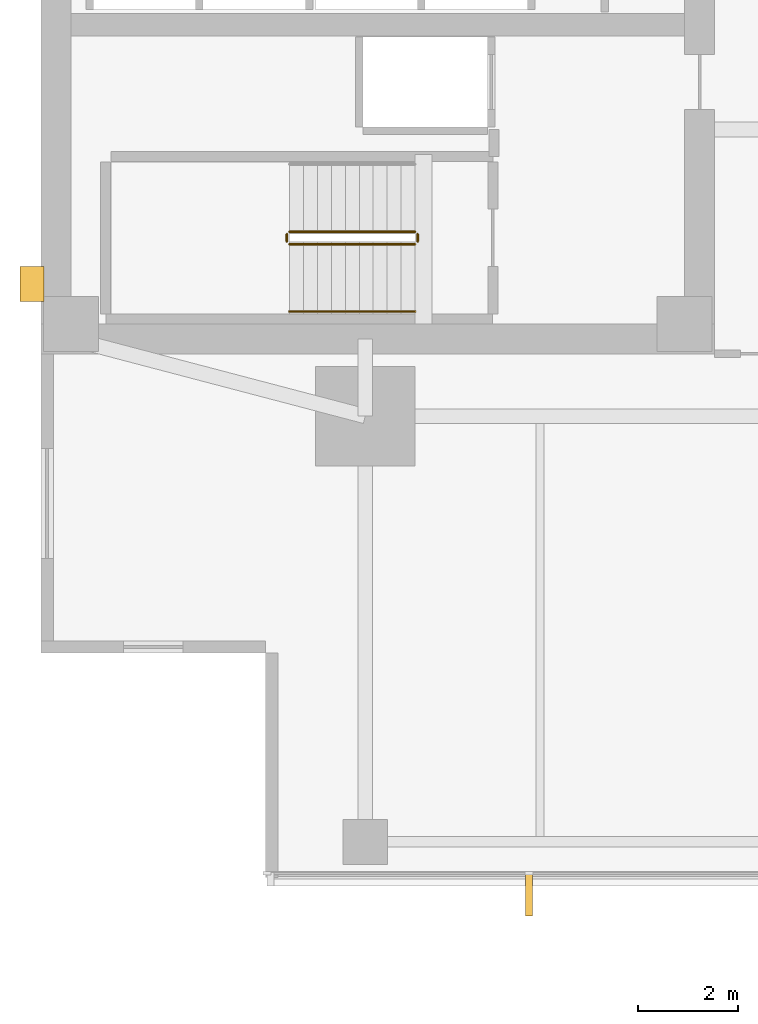
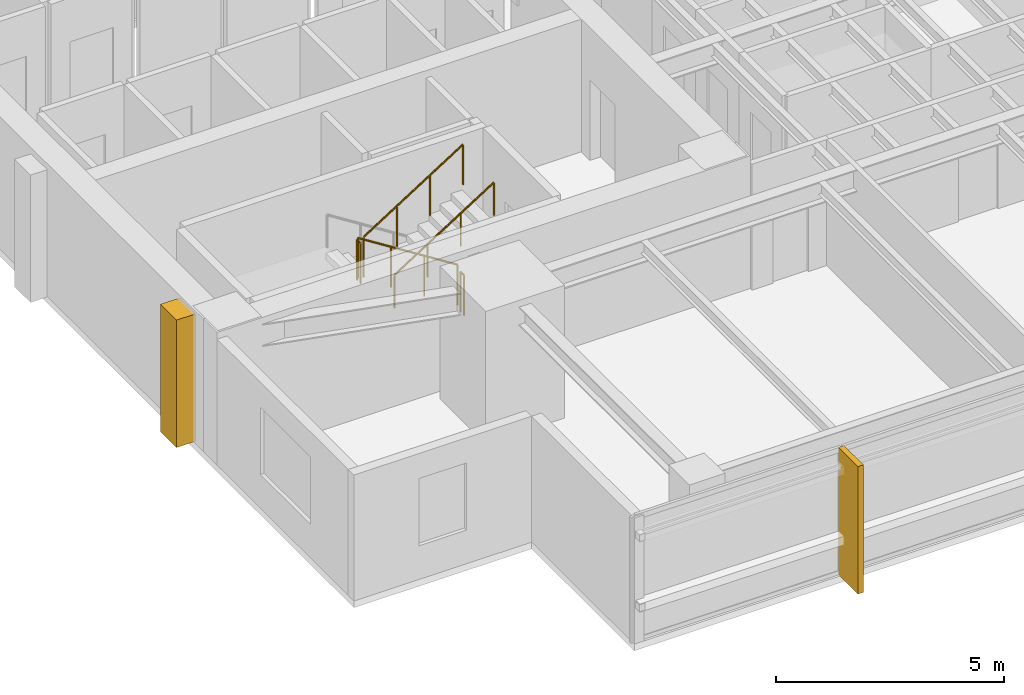
# One storey, part 11 of 14: 5 railings, 2 coverings.
"""IFC4 building model written with IfcOpenShell, lengths in metres."""

import ifcopenshell
import ifcopenshell.guid

model = None  # the IFC model being written
_history = None  # IfcOwnerHistory: only IFC2X3 demands one
_inside = {}  # id of a spatial element -> (the spatial element, [elements in it])
_under = {}  # id of a project, library or spatial element -> (it, [spatial elements below it])
_declared = {}  # id of a project -> (the project, [libraries it declares])
_typed = {}  # id of a type object -> (the type object, [elements of that type])
_made_of = {}  # id of a material, layer set ... -> (it, [elements and type objects made of it])


def new_model(schema):
    """Start an empty IFC model of exactly this schema.

    Asked for "IFC4X3", IfcOpenShell would pick the latest addendum, in which some entities
    have other attributes; the version numbers below select the first issue.
    IFC2X3 requires an IfcOwnerHistory on every rooted entity: one is made here for all.
    """
    global model, _history
    if schema == "IFC4X3":
        model = ifcopenshell.file(schema_version=(4, 3, 0, 0))
    else:
        model = ifcopenshell.file(schema=schema)
    _inside.clear()
    _under.clear()
    _declared.clear()
    _typed.clear()
    _made_of.clear()
    _history = None
    if model.schema == "IFC2X3":
        org = make("IfcOrganization", Name="unknown")
        user = make(
            "IfcPersonAndOrganization",
            ThePerson=make("IfcPerson", FamilyName="unknown"),
            TheOrganization=org,
        )
        app = make(
            "IfcApplication",
            ApplicationDeveloper=org,
            Version="unknown",
            ApplicationFullName="unknown",
            ApplicationIdentifier="unknown",
        )
        _history = make(
            "IfcOwnerHistory",
            OwningUser=user,
            OwningApplication=app,
            ChangeAction="ADDED",
            CreationDate=0,
        )
    return model


def make(cls, **values):
    """One entity of the class cls with the attributes given. An attribute that is None is left unset."""
    return model.create_entity(
        cls, **{name: value for name, value in values.items() if value is not None}
    )


def rooted(cls, **values):
    """An entity with a GlobalId (a new one), such as an element, a storey or a relation."""
    return make(cls, GlobalId=ifcopenshell.guid.new(), OwnerHistory=_history, **values)


def si_unit(unit_type, name, prefix=None):
    """IfcSIUnit, for example si_unit("LENGTHUNIT", "METRE", prefix="MILLI")."""
    return make("IfcSIUnit", UnitType=unit_type, Prefix=prefix, Name=name)


def assignment(units):
    """IfcUnitAssignment: the units of a project."""
    return None if units is None else make("IfcUnitAssignment", Units=units)


def point(xyz):
    """IfcCartesianPoint."""
    return None if xyz is None else make("IfcCartesianPoint", Coordinates=xyz)


def direction(xyz):
    """IfcDirection."""
    return None if xyz is None else make("IfcDirection", DirectionRatios=xyz)


def frame(location, z_axis=None, x_axis=None):
    """IfcAxis2Placement3D, a coordinate frame: its origin and axes. An axis left out is left unset."""
    return make(
        "IfcAxis2Placement3D",
        Location=point(location),
        Axis=direction(z_axis),
        RefDirection=direction(x_axis),
    )


def frame_2d(location, x_axis=None):
    """IfcAxis2Placement2D, a coordinate frame in the plane: its origin and x axis."""
    return make(
        "IfcAxis2Placement2D", Location=point(location), RefDirection=direction(x_axis)
    )


def origin():
    """The frame at (0, 0, 0) with its axes left unset."""
    return frame((0.0, 0.0, 0.0))


def origin_2d():
    """The frame at (0, 0) in the plane with its x axis left unset."""
    return frame_2d((0.0, 0.0))


def place(relative_to, where):
    """IfcLocalPlacement: puts the frame where relative to a parent placement (None: the world)."""
    return make(
        "IfcLocalPlacement", PlacementRelTo=relative_to, RelativePlacement=where
    )


def context(
    kind, dimensions, precision=None, world=None, true_north=None, identifier=None
):
    """IfcGeometricRepresentationContext, for example the 3D "Model" context."""
    return make(
        "IfcGeometricRepresentationContext",
        ContextIdentifier=identifier,
        ContextType=kind,
        CoordinateSpaceDimension=dimensions,
        Precision=precision,
        WorldCoordinateSystem=world,
        TrueNorth=true_north,
    )


def subcontext(parent, identifier, kind, view, scale=None):
    """IfcGeometricRepresentationSubContext, for example "Body" below "Model"."""
    return make(
        "IfcGeometricRepresentationSubContext",
        ContextIdentifier=identifier,
        ContextType=kind,
        ParentContext=parent,
        TargetScale=scale,
        TargetView=view,
    )


def project(units=None, contexts=None):
    """IfcProject with its units and contexts."""
    return rooted(
        "IfcProject",
        Name="project",
        RepresentationContexts=contexts,
        UnitsInContext=assignment(units),
    )


def spatial(cls, under=None, at=None, **own):
    """A site, building, storey or space (cls), placed at a placement, below another one or the project."""
    s = rooted(cls, ObjectPlacement=at, **own)
    if under is not None:
        _under.setdefault(under.id(), (under, []))[1].append(s)
    return s


def polyline(points):
    """IfcPolyline through the points."""
    return make("IfcPolyline", Points=[point(p) for p in points])


def profile(cls, at=None, kind="AREA", **sizes):
    """A parametric profile (cls). Its sizes go by their IFC names, for example OverallWidth=200.0."""
    return make(cls, ProfileType=kind, Position=at, **sizes)


def circle(**sizes):
    """IfcCircleProfileDef."""
    return profile("IfcCircleProfileDef", **sizes)


def outline(outer, holes=None, kind="AREA"):
    """IfcArbitraryClosedProfileDef: a profile drawn as a closed curve; with holes, ...WithVoids."""
    if holes is None:
        return make("IfcArbitraryClosedProfileDef", ProfileType=kind, OuterCurve=outer)
    return make(
        "IfcArbitraryProfileDefWithVoids",
        ProfileType=kind,
        OuterCurve=outer,
        InnerCurves=holes,
    )


def extrude(swept, where, along, depth):
    """IfcExtrudedAreaSolid: the profile swept, set in the frame where, extruded along a direction by depth."""
    return make(
        "IfcExtrudedAreaSolid",
        SweptArea=swept,
        Position=where,
        ExtrudedDirection=direction(along),
        Depth=depth,
    )


def shape(context_of_items, identifier, shape_type, items):
    """IfcShapeRepresentation: the items that make up one representation, for example the "Body"."""
    return make(
        "IfcShapeRepresentation",
        ContextOfItems=context_of_items,
        RepresentationIdentifier=identifier,
        RepresentationType=shape_type,
        Items=items,
    )


def material(Name=None, Category=None):
    """IfcMaterial."""
    return make("IfcMaterial", Name=Name, Category=Category)


def layer(
    of_material, thickness, ventilated=None, Name=None, Category=None, Priority=None
):
    """IfcMaterialLayer: one layer of a wall or slab, of a material (None: an air gap)."""
    return make(
        "IfcMaterialLayer",
        Material=of_material,
        LayerThickness=thickness,
        IsVentilated=ventilated,
        Name=Name,
        Category=Category,
        Priority=Priority,
    )


def layer_set(layers, Name=None):
    """IfcMaterialLayerSet."""
    return make("IfcMaterialLayerSet", MaterialLayers=layers, LayerSetName=Name)


def made_of(thing, what):
    """Note that an element or type object is made of a material, layer set ...; save() writes the relation."""
    if what is not None:
        _made_of.setdefault(what.id(), (what, []))[1].append(thing)
    return thing


def type_object(cls, material=None, **own):
    """A type object (cls), such as IfcWallType, which elements share."""
    return made_of(rooted(cls, **own), material)


def element(
    cls,
    number,
    at=None,
    inside=None,
    cuts=None,
    type_object=None,
    material=None,
    context=None,
    identifier="Body",
    shape_type=None,
    held_by="IfcProductDefinitionShape",
    body=None,
    shapes=None,
    **own,
):
    """One element of the class cls, such as IfcWall. Its Tag is "e" and its number.

    at: its placement. inside: the storey or other place that contains it. cuts: it is an
    opening in that element (IfcRelVoidsElement). A single representation is given by context,
    identifier, shape_type and body (its items); several are given by shapes. held_by: the class
    of the entity that holds the representations. save() writes the other relations.
    """
    e = rooted(cls, Tag="e%d" % number, ObjectPlacement=at, **own)
    if body is not None:
        shapes = [shape(context, identifier, shape_type, body)]
    if shapes is not None:
        e.Representation = make(held_by, Representations=shapes)
    if inside is not None:
        _inside.setdefault(inside.id(), (inside, []))[1].append(e)
    if cuts is not None:
        rooted(
            "IfcRelVoidsElement", RelatingBuildingElement=cuts, RelatedOpeningElement=e
        )
    if type_object is not None:
        _typed.setdefault(type_object.id(), (type_object, []))[1].append(e)
    return made_of(e, material)


def aggregate(whole, parts):
    """IfcRelAggregates: a whole, such as a stair, and the parts it consists of."""
    return rooted("IfcRelAggregates", RelatingObject=whole, RelatedObjects=parts)


def save(model, path):
    """Write the relations noted so far, then the file.

    IfcRelAggregates (storeys below a building ...), IfcRelContainedInSpatialStructure (elements
    in a storey), IfcRelDefinesByType, IfcRelAssociatesMaterial and IfcRelDeclares: one each for
    every whole, place, type object, material and project.
    """
    for whole, parts in _under.values():
        aggregate(whole, parts)
    for where, things in _inside.values():
        rooted(
            "IfcRelContainedInSpatialStructure",
            RelatedElements=things,
            RelatingStructure=where,
        )
    for kind, things in _typed.values():
        rooted("IfcRelDefinesByType", RelatedObjects=things, RelatingType=kind)
    for what, things in _made_of.values():
        rooted("IfcRelAssociatesMaterial", RelatedObjects=things, RelatingMaterial=what)
    for by, libraries in _declared.values():
        rooted("IfcRelDeclares", RelatingContext=by, RelatedDefinitions=libraries)
    model.write(path)


model = new_model("IFC4")

# Units and contexts
model_context = context("Model", 3, precision=1e-05, world=origin(), true_north=direction((0.0, 1.0)))
body_context = subcontext(model_context, "Body", "Model", "MODEL_VIEW")
ifc_project = project(units=[si_unit("LENGTHUNIT", "METRE"), si_unit("AREAUNIT", "SQUARE_METRE"), si_unit("VOLUMEUNIT", "CUBIC_METRE"), si_unit("PLANEANGLEUNIT", "RADIAN"), si_unit("MASSUNIT", "GRAM", prefix="KILO")], contexts=[model_context])

# Site, building, storey
site_placement = place(None, origin())
site = spatial("IfcSite", under=ifc_project, at=site_placement, CompositionType="ELEMENT")
building_placement = place(site_placement, origin())
building = spatial("IfcBuilding", under=site, at=building_placement, Name="Kinhvarn Gate Tower", CompositionType="ELEMENT")
storey_placement = place(building_placement, frame((0.0, 0.0, 155.5)))
storey = spatial("IfcBuildingStorey", under=building, at=storey_placement, Name="L41", CompositionType="ELEMENT", Elevation=155.5)

# Coverings
ifc_material_1 = material(Name="Fired architectural terracotta", Category="masonry")
ifc_layer_1 = layer(ifc_material_1, 0.139892578125)
ifc_layer_set_1 = layer_set([ifc_layer_1], Name="Fired architectural terracotta")
covering_type_1 = type_object("IfcCoveringType", Name="COV-FIN-850", PredefinedType="CLADDING", material=ifc_layer_set_1)
covering_1_placement = place(storey_placement, frame((0.0, 0.0, -0.02001953125)))
element("IfcCovering", 1, at=covering_1_placement, inside=storey, type_object=covering_type_1, Name="Vertical Terracotta Expressive Fin TFN-850 (L41)", PredefinedType="CLADDING", context=body_context, shape_type="SweptSolid", body=[
    extrude(outline(polyline([(14.2158203125, 3.580078125), (14.355712890625, 3.580078125), (14.355712890625, 2.72998046875), (14.2158203125, 2.72998046875), (14.2158203125, 3.580078125)])), origin(), (0.0, 0.0, 1.0), 3.409912109375),
])
ifc_material_2 = material(Name="Precast white architectural concrete C40/50", Category="concrete")
ifc_layer_2 = layer(ifc_material_2, 0.47998046875)
ifc_layer_set_2 = layer_set([ifc_layer_2], Name="Precast white architectural concrete C40/50")
covering_type_2 = type_object("IfcCoveringType", Name="COV-RIB-450", PredefinedType="CLADDING", material=ifc_layer_set_2)
covering_2_placement = place(storey_placement, frame((0.0, 0.0, -0.02001953125)))
element("IfcCovering", 2, at=covering_2_placement, inside=storey, type_object=covering_type_2, Name="West Core Sculptural Concrete Relief Rib CRB-450 (L41)", PredefinedType="CLADDING", context=body_context, shape_type="SweptSolid", body=[
    extrude(outline(polyline([(4.080078125, 15.050048828125), (4.56005859375, 15.050048828125), (4.56005859375, 15.75), (4.080078125, 15.75), (4.080078125, 15.050048828125)])), origin(), (0.0, 0.0, 1.0), 3.409912109375),
])

# Railings
ifc_material_3 = material(Name="Steel S355", Category="steel")
railing_type_1 = type_object("IfcRailingType", Name="RL-ST-GRD", PredefinedType="BALUSTRADE", material=ifc_material_3)
railing_1_placement = place(storey_placement, frame((12.0, 16.449951171875, 0.177490234375)))
element("IfcRailing", 3, at=railing_1_placement, inside=storey, type_object=railing_type_1, Name="L41 ST1 stair guard 1", PredefinedType="BALUSTRADE", context=body_context, shape_type="SweptSolid", body=[
    extrude(circle(Radius=0.02392578125, at=origin_2d()), frame((0.0, 0.0, 1.076171875), z_axis=(-0.84460694969, 0.0, 0.535386869969), x_axis=(0.0, -1.0, 0.0)), (0.0, 0.0, 1.0), 2.983642578125),
    extrude(circle(Radius=0.02099609375, at=origin_2d()), origin(), (0.0, 0.0, 1.0), 1.052001953125),
    extrude(circle(Radius=0.02099609375, at=origin_2d()), frame((-0.840087890625, 0.0, 0.532470703125)), (0.0, 0.0, 1.0), 1.052001953125),
    extrude(circle(Radius=0.02099609375, at=origin_2d()), frame((-1.679931640625, 0.0, 1.06494140625)), (0.0, 0.0, 1.0), 1.052001953125),
    extrude(circle(Radius=0.02099609375, at=origin_2d()), frame((-2.52001953125, 0.0, 1.597412109375)), (0.0, 0.0, 1.0), 1.052001953125),
])
railing_2_placement = place(storey_placement, frame((9.429931640625, 16.39990234375, 1.77490234375)))
element("IfcRailing", 4, at=railing_2_placement, inside=storey, type_object=railing_type_1, Name="L41 ST1 stair guard 2", PredefinedType="BALUSTRADE", context=body_context, shape_type="SweptSolid", body=[
    extrude(circle(Radius=0.02392578125, at=origin_2d()), frame((0.0, 0.0, 1.076171875), z_axis=(0.0, -1.0, 0.0), x_axis=(1.0, 0.0, 0.0)), (0.0, 0.0, 1.0), 0.14990234375),
    extrude(circle(Radius=0.02099609375, at=origin_2d()), origin(), (0.0, 0.0, 1.0), 1.052001953125),
    extrude(circle(Radius=0.02099609375, at=origin_2d()), frame((0.0, -0.14990234375, 0.0)), (0.0, 0.0, 1.0), 1.052001953125),
])
railing_3_placement = place(storey_placement, frame((9.47998046875, 16.199951171875, 1.952392578125)))
element("IfcRailing", 5, at=railing_3_placement, inside=storey, type_object=railing_type_1, Name="L41 ST1 stair guard 3", PredefinedType="BALUSTRADE", context=body_context, shape_type="SweptSolid", body=[
    extrude(circle(Radius=0.02392578125, at=origin_2d()), frame((0.0, 0.0, 1.076171875), z_axis=(0.84456994832, 0.0, 0.535445237532), x_axis=(0.0, 1.0, 0.0)), (0.0, 0.0, 1.0), 2.98388671875),
    extrude(circle(Radius=0.02099609375, at=origin_2d()), origin(), (0.0, 0.0, 1.0), 1.052001953125),
    extrude(circle(Radius=0.02099609375, at=origin_2d()), frame((0.840087890625, 0.0, 0.532470703125)), (0.0, 0.0, 1.0), 1.052001953125),
    extrude(circle(Radius=0.02099609375, at=origin_2d()), frame((1.679931640625, 0.0, 1.065185546875)), (0.0, 0.0, 1.0), 1.052001953125),
    extrude(circle(Radius=0.02099609375, at=origin_2d()), frame((2.52001953125, 0.0, 1.59765625)), (0.0, 0.0, 1.0), 1.052001953125),
])
railing_4_placement = place(storey_placement, frame((12.050048828125, 16.39990234375, 0.0)))
element("IfcRailing", 6, at=railing_4_placement, inside=storey, type_object=railing_type_1, Name="L41 ST1 stair guard 4", PredefinedType="BALUSTRADE", context=body_context, shape_type="SweptSolid", body=[
    extrude(circle(Radius=0.02392578125, at=origin_2d()), frame((0.0, 0.0, 1.076171875), z_axis=(0.0, -1.0, 0.0), x_axis=(1.0, 0.0, 0.0)), (0.0, 0.0, 1.0), 0.14990234375),
    extrude(circle(Radius=0.02099609375, at=origin_2d()), origin(), (0.0, 0.0, 1.0), 1.052001953125),
    extrude(circle(Radius=0.02099609375, at=origin_2d()), frame((0.0, -0.14990234375, 0.0)), (0.0, 0.0, 1.0), 1.052001953125),
])
railing_type_2 = type_object("IfcRailingType", Name="RL-ST-HND", PredefinedType="HANDRAIL", material=ifc_material_3)
railing_5_placement = place(storey_placement, frame((9.47998046875, 14.85009765625, 1.952392578125)))
element("IfcRailing", 7, at=railing_5_placement, inside=storey, type_object=railing_type_2, Name="L41 ST1 stair handrail 2", PredefinedType="HANDRAIL", context=body_context, shape_type="SweptSolid", body=[
    extrude(circle(Radius=0.02392578125, at=origin_2d()), frame((0.0, 0.0, 0.8759765625), z_axis=(0.84456994832, 0.0, 0.535445237532), x_axis=(0.0, 1.0, 0.0)), (0.0, 0.0, 1.0), 2.98388671875),
    extrude(circle(Radius=0.02099609375, at=origin_2d()), origin(), (0.0, 0.0, 1.0), 0.851806640625),
    extrude(circle(Radius=0.02099609375, at=origin_2d()), frame((0.840087890625, 0.0, 0.532470703125)), (0.0, 0.0, 1.0), 0.851806640625),
    extrude(circle(Radius=0.02099609375, at=origin_2d()), frame((1.679931640625, 0.0, 1.065185546875)), (0.0, 0.0, 1.0), 0.851806640625),
    extrude(circle(Radius=0.02099609375, at=origin_2d()), frame((2.52001953125, 0.0, 1.59765625)), (0.0, 0.0, 1.0), 0.851806640625),
])

save(model, "model.ifc")
